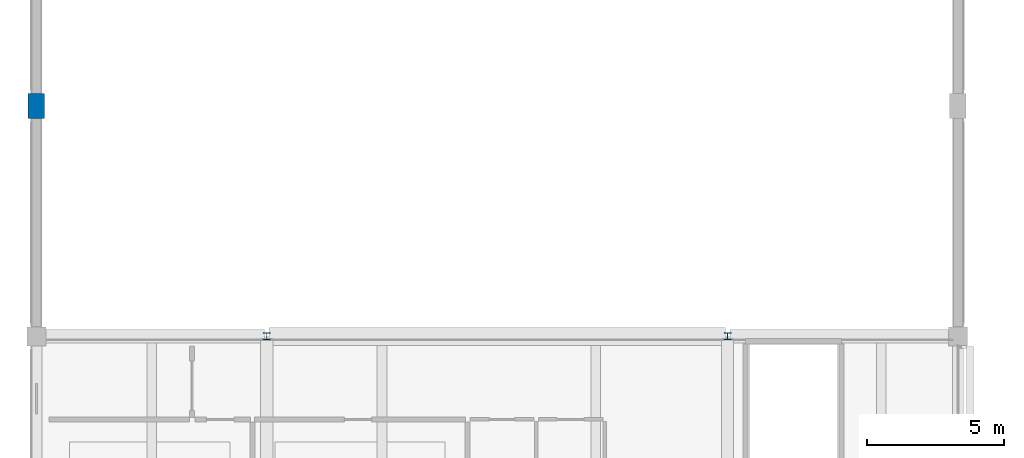
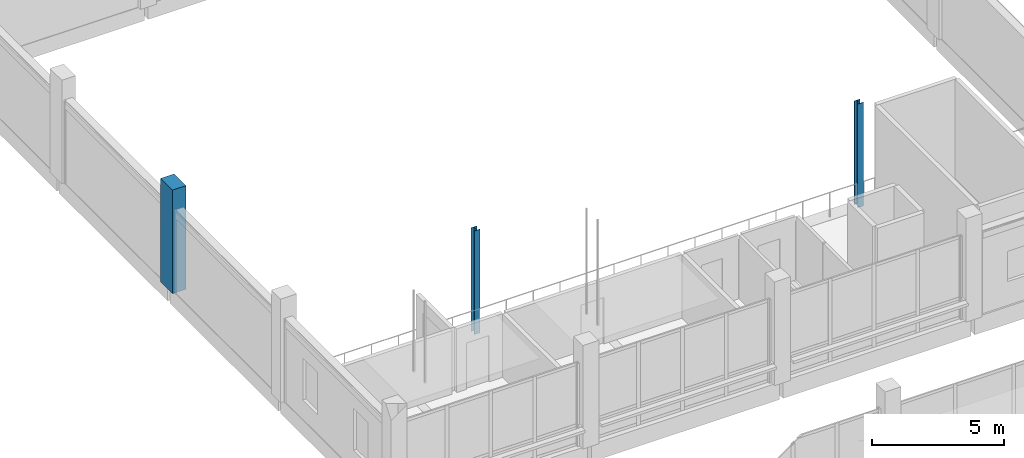
# One storey, part 2 of 128: 3 columns.
"""IFC4 building model written with IfcOpenShell, lengths in metres."""

from ifc_helpers import new_model, si_unit, direction, frame, origin, origin_2d, place, context, subcontext, project, spatial, rectangle, i_section, extrude, material, material_profile, profile_set, type_object, element, save


model = new_model("IFC4")

# Units and contexts
model_context = context("Model", 3, precision=1e-05, world=origin(), true_north=direction((0.0, 1.0)))
body_context = subcontext(model_context, "Body", "Model", "MODEL_VIEW")
ifc_project = project(units=[si_unit("LENGTHUNIT", "METRE"), si_unit("AREAUNIT", "SQUARE_METRE"), si_unit("VOLUMEUNIT", "CUBIC_METRE"), si_unit("PLANEANGLEUNIT", "RADIAN"), si_unit("MASSUNIT", "GRAM", prefix="KILO")], contexts=[model_context])

# Site, building, storey
site_placement = place(None, origin())
site = spatial("IfcSite", under=ifc_project, at=site_placement, CompositionType="ELEMENT")
building_placement = place(site_placement, origin())
building = spatial("IfcBuilding", under=site, at=building_placement, Name="Telukmera Botanical Conservatory", CompositionType="ELEMENT")
storey_placement = place(building_placement, frame((0.0, 0.0, 5.39990234375)))
storey = spatial("IfcBuildingStorey", under=building, at=storey_placement, Name="L01", CompositionType="ELEMENT", Elevation=5.39990234375)

# Columns
ifc_material_1 = material(Name="Concrete C40/50", Category="concrete")
ifc_material_profile_1 = material_profile(ifc_material_1, rectangle(XDim=0.60009765625, YDim=0.89990234375, at=origin_2d()), Name="RC 900x600")
ifc_profile_set_1 = profile_set([ifc_material_profile_1], Name="Concrete C40/50")
column_type_1 = type_object("IfcColumnType", Name="Col_C15", PredefinedType="COLUMN", material=ifc_profile_set_1)
column_placement = place(storey_placement, frame((8.39990234375, 100.0, 0.0), z_axis=(0.0, 0.0, 1.0), x_axis=(1.0, 0.0, 0.0)))
element("IfcColumn", 1, at=column_placement, inside=storey, type_object=column_type_1, Name="Column V2-L01 (8.4,100.0)", PredefinedType="COLUMN", context=body_context, shape_type="SweptSolid", body=[
    extrude(rectangle(XDim=0.60009765625, YDim=0.89990234375, at=origin_2d()), origin(), (0.0, 0.0, 1.0), 4.800048828125),
])
ifc_material_2 = material(Name="Steel S355", Category="steel")
ifc_material_profile_2 = material_profile(ifc_material_2, i_section(OverallWidth=0.25634765625, OverallDepth=0.26025390625, WebThickness=0.01025390625, FlangeThickness=0.017333984375, FilletRadius=0.0126953125, at=origin_2d()), Name="UC 254x254x89")
ifc_profile_set_2 = profile_set([ifc_material_profile_2], Name="Steel S355")
column_type_2 = type_object("IfcColumnType", Name="Col_SC5", PredefinedType="COLUMN", material=ifc_profile_set_2)
for number, where, z_axis, x_axis, name in (
    (2, (16.800048828125, 91.60009765625, 0.0), (0.0, 0.0, 1.0), (1.0, 0.0, 0.0), "Column V2-L01 (16.8,91.6)"),
    (3, (33.60009765625, 91.60009765625, 0.0), (0.0, 0.0, 1.0), (1.0, 0.0, 0.0), "Column V2-L01 (33.6,91.6)"),
):
    element("IfcColumn", number, at=place(storey_placement, frame(where, z_axis=z_axis, x_axis=x_axis)), inside=storey, type_object=column_type_2, Name=name, PredefinedType="COLUMN", context=body_context, shape_type="SweptSolid", body=[
        extrude(i_section(OverallWidth=0.25634765625, OverallDepth=0.26025390625, WebThickness=0.01025390625, FlangeThickness=0.017333984375, FilletRadius=0.0126953125, at=origin_2d()), origin(), (0.0, 0.0, 1.0), 4.800048828125),
    ])

save(model, "model.ifc")
